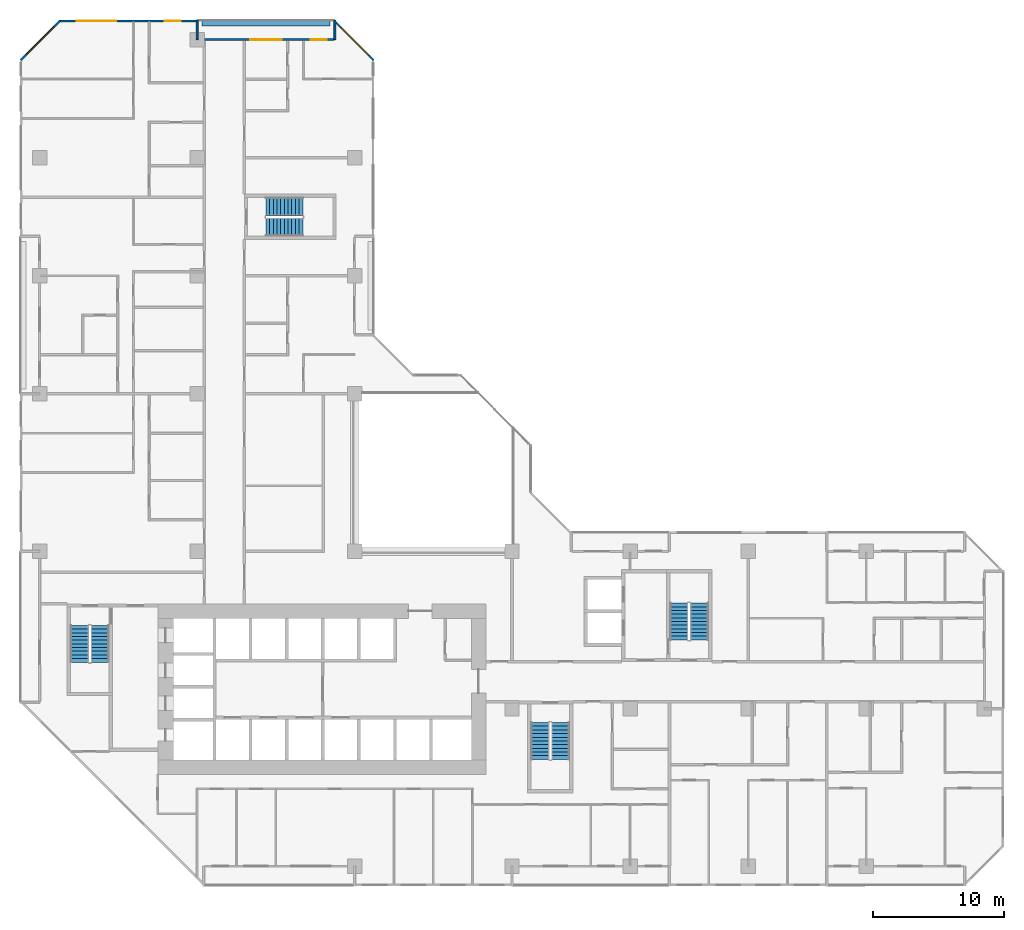
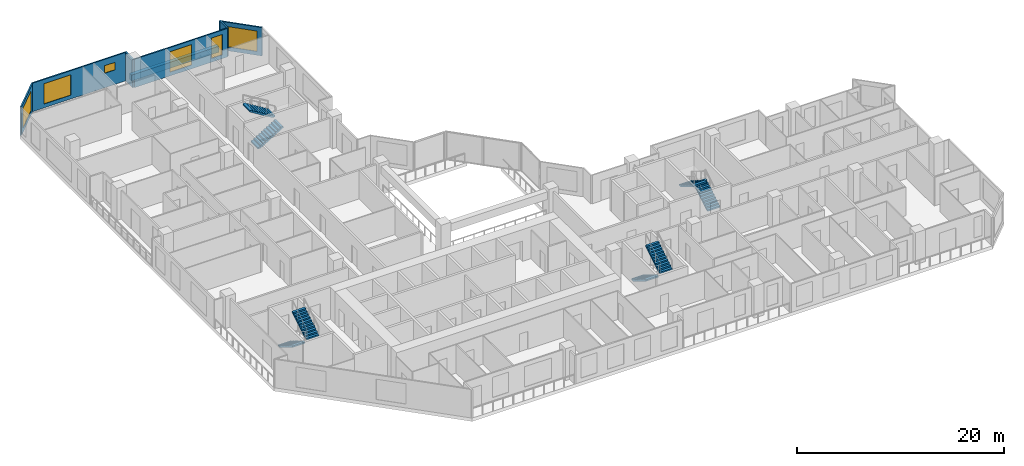
# One storey, part 13 of 15: 8 stair flights, 7 walls, 6 windows, 6 openings, 4 elements without a shape of their own.
"""IFC4 building model written with IfcOpenShell, lengths in metres."""

from ifc_helpers import new_model, si_unit, direction, frame, frame_2d, origin, place, context, subcontext, project, spatial, polyline, rectangle, outline, extrude, material, layer, layer_set, type_object, element, fill, aggregate, save


model = new_model("IFC4")

# Units and contexts
model_context = context("Model", 3, precision=1e-05, world=origin(), true_north=direction((0.0, 1.0)))
body_context = subcontext(model_context, "Body", "Model", "MODEL_VIEW")
ifc_project = project(units=[si_unit("LENGTHUNIT", "METRE"), si_unit("AREAUNIT", "SQUARE_METRE"), si_unit("VOLUMEUNIT", "CUBIC_METRE"), si_unit("PLANEANGLEUNIT", "RADIAN"), si_unit("MASSUNIT", "GRAM", prefix="KILO")], contexts=[model_context])

# Site, building, storey
site_placement = place(None, origin())
site = spatial("IfcSite", under=ifc_project, at=site_placement, CompositionType="ELEMENT")
building_placement = place(site_placement, origin())
building = spatial("IfcBuilding", under=site, at=building_placement, Name="Chenar Terraces", CompositionType="ELEMENT")
storey_placement = place(building_placement, frame((0.0, 0.0, 45.14990234375)))
storey = spatial("IfcBuildingStorey", under=building, at=storey_placement, Name="L08", CompositionType="ELEMENT", Elevation=45.14990234375)

# Wall, openings, windows
ifc_material_1 = material(Name="Aluminium framed glazing", Category="aluminium")
ifc_layer_1 = layer(ifc_material_1, 0.14990234375)
ifc_layer_set_1 = layer_set([ifc_layer_1], Name="Aluminium framed glazing")
wall_type_1 = type_object("IfcWallType", Name="Glazed flush facade wall 150", PredefinedType="SOLIDWALL", material=ifc_layer_set_1)
wall_1_placement = place(storey_placement, frame((11.925048828125, 64.425048828125, 0.0), z_axis=(0.0, 0.0, 1.0), x_axis=(-1.0, 0.0, 0.0)))
wall_1 = element("IfcWall", 1, at=wall_1_placement, inside=storey, type_object=wall_type_1, Name="Glazed flush facade wall", PredefinedType="SOLIDWALL", context=body_context, shape_type="SweptSolid", body=[
    extrude(rectangle(XDim=10.425048828125, YDim=0.14990234375, at=frame_2d((5.21240234375, 0.0))), origin(), (0.0, 0.0, 1.0), 3.35009765625),
])
opening_1_placement = place(wall_1_placement, frame((1.1875, 0.0, 1.699951171875)))
opening_1 = element("IfcOpeningElement", 2, at=opening_1_placement, cuts=wall_1, Name="Opening W120x90", PredefinedType="OPENING", context=body_context, shape_type="SweptSolid", body=[
    extrude(rectangle(XDim=1.199951171875, YDim=0.89990234375, at=frame_2d((0.60009765625, 0.449951171875))), frame((0.0, 0.0849609375, 0.0), z_axis=(0.0, -1.0, 0.0), x_axis=(1.0, 0.0, 0.0)), (0.0, 0.0, 1.0), 0.169921875),
])
opening_2_placement = place(wall_1_placement, frame((6.10009765625, 0.0, 0.449951171875)))
opening_2 = element("IfcOpeningElement", 3, at=opening_2_placement, cuts=wall_1, Name="Opening W300x240", PredefinedType="OPENING", context=body_context, shape_type="SweptSolid", body=[
    extrude(rectangle(XDim=3.0, YDim=2.39990234375, at=frame_2d((1.5, 1.199951171875))), frame((0.0, 0.0849609375, 0.0), z_axis=(0.0, -1.0, 0.0), x_axis=(1.0, 0.0, 0.0)), (0.0, 0.0, 1.0), 0.169921875),
])
ifc_material_2 = material(Name="Low emissivity double glazing, aluminium frame", Category="aluminium")
window_type_1 = type_object("IfcWindowType", Name="Fixed light 1200 x 900", PartitioningType="SINGLE_PANEL", PredefinedType="WINDOW", material=ifc_material_2)
window_1_placement = place(opening_1_placement, origin())
window_1 = element("IfcWindow", 4, at=window_1_placement, inside=storey, type_object=window_type_1, Name="Window", OverallHeight=0.89990234375, OverallWidth=1.199951171875, PartitioningType="SINGLE_PANEL", PredefinedType="WINDOW", context=body_context, shape_type="SweptSolid", body=[
    extrude(rectangle(XDim=1.199951171875, YDim=0.89990234375, at=frame_2d((0.60009765625, 0.449951171875))), frame((0.0, 0.030029296875, 0.0), z_axis=(0.0, -1.0, 0.0), x_axis=(1.0, 0.0, 0.0)), (0.0, 0.0, 1.0), 0.06005859375),
])
fill(opening_1, window_1)
ifc_material_3 = material(Name="Low emissivity double glazing, aluminium frame", Category="aluminium")
window_type_2 = type_object("IfcWindowType", Name="Fixed light 3000 x 2400", PartitioningType="SINGLE_PANEL", PredefinedType="WINDOW", material=ifc_material_3)
window_2_placement = place(opening_2_placement, origin())
window_2 = element("IfcWindow", 5, at=window_2_placement, inside=storey, type_object=window_type_2, Name="Window", OverallHeight=2.39990234375, OverallWidth=3.0, PartitioningType="SINGLE_PANEL", PredefinedType="WINDOW", context=body_context, shape_type="SweptSolid", body=[
    extrude(rectangle(XDim=3.0, YDim=2.39990234375, at=frame_2d((1.5, 1.199951171875))), frame((0.0, 0.030029296875, 0.0), z_axis=(0.0, -1.0, 0.0), x_axis=(1.0, 0.0, 0.0)), (0.0, 0.0, 1.0), 0.06005859375),
])
fill(opening_2, window_2)

ifc_material_4 = material(Name="Aluminium framed glazing", Category="aluminium")
ifc_layer_2 = layer(ifc_material_4, 0.14990234375)
ifc_layer_set_2 = layer_set([ifc_layer_2], Name="Aluminium framed glazing")
wall_type_2 = type_object("IfcWallType", Name="Glazed loggia back wall 150", PredefinedType="SOLIDWALL", material=ifc_layer_set_2)
wall_2_placement = place(storey_placement, frame((22.425048828125, 63.0, 0.0), z_axis=(0.0, 0.0, 1.0), x_axis=(-1.0, 0.0, 0.0)))
wall_2 = element("IfcWall", 6, at=wall_2_placement, inside=storey, type_object=wall_type_2, Name="Glazed loggia back wall", PredefinedType="SOLIDWALL", context=body_context, shape_type="SweptSolid", body=[
    extrude(rectangle(XDim=10.35009765625, YDim=0.14990234375, at=frame_2d((5.175048828125, 0.0))), origin(), (0.0, 0.0, 1.0), 3.35009765625),
])
opening_3_placement = place(wall_2_placement, frame((0.5625, 0.0, 0.449951171875)))
opening_3 = element("IfcOpeningElement", 7, at=opening_3_placement, cuts=wall_2, Name="Opening W120x240", PredefinedType="OPENING", context=body_context, shape_type="SweptSolid", body=[
    extrude(rectangle(XDim=1.199951171875, YDim=2.39990234375, at=frame_2d((0.60009765625, 1.199951171875))), frame((0.0, 0.0849609375, 0.0), z_axis=(0.0, -1.0, 0.0), x_axis=(1.0, 0.0, 0.0)), (0.0, 0.0, 1.0), 0.169921875),
])
opening_4_placement = place(wall_2_placement, frame((3.97509765625, 0.0, 0.449951171875)))
opening_4 = element("IfcOpeningElement", 8, at=opening_4_placement, cuts=wall_2, Name="Opening W240x240", PredefinedType="OPENING", context=body_context, shape_type="SweptSolid", body=[
    extrude(rectangle(XDim=2.39990234375, YDim=2.39990234375, at=frame_2d((1.199951171875, 1.199951171875))), frame((0.0, 0.0849609375, 0.0), z_axis=(0.0, -1.0, 0.0), x_axis=(1.0, 0.0, 0.0)), (0.0, 0.0, 1.0), 0.169921875),
])
ifc_material_5 = material(Name="Low emissivity double glazing, aluminium frame", Category="aluminium")
window_type_3 = type_object("IfcWindowType", Name="Fixed light 1200 x 2400", PartitioningType="SINGLE_PANEL", PredefinedType="WINDOW", material=ifc_material_5)
window_3_placement = place(opening_3_placement, origin())
window_3 = element("IfcWindow", 9, at=window_3_placement, inside=storey, type_object=window_type_3, Name="Window", OverallHeight=2.39990234375, OverallWidth=1.199951171875, PartitioningType="SINGLE_PANEL", PredefinedType="WINDOW", context=body_context, shape_type="SweptSolid", body=[
    extrude(rectangle(XDim=1.199951171875, YDim=2.39990234375, at=frame_2d((0.60009765625, 1.199951171875))), frame((0.0, 0.030029296875, 0.0), z_axis=(0.0, -1.0, 0.0), x_axis=(1.0, 0.0, 0.0)), (0.0, 0.0, 1.0), 0.06005859375),
])
fill(opening_3, window_3)
ifc_material_6 = material(Name="Low emissivity double glazing, aluminium frame", Category="aluminium")
window_type_4 = type_object("IfcWindowType", Name="Fixed light 2400 x 2400", PartitioningType="SINGLE_PANEL", PredefinedType="WINDOW", material=ifc_material_6)
window_4_placement = place(opening_4_placement, origin())
window_4 = element("IfcWindow", 10, at=window_4_placement, inside=storey, type_object=window_type_4, Name="Window", OverallHeight=2.39990234375, OverallWidth=2.39990234375, PartitioningType="SINGLE_PANEL", PredefinedType="WINDOW", context=body_context, shape_type="SweptSolid", body=[
    extrude(rectangle(XDim=2.39990234375, YDim=2.39990234375, at=frame_2d((1.199951171875, 1.199951171875))), frame((0.0, 0.030029296875, 0.0), z_axis=(0.0, -1.0, 0.0), x_axis=(1.0, 0.0, 0.0)), (0.0, 0.0, 1.0), 0.06005859375),
])
fill(opening_4, window_4)

# Walls
ifc_material_7 = material(Name="Terracotta cladding on insulated backing", Category="masonry")
ifc_layer_3 = layer(ifc_material_7, 0.14990234375)
ifc_layer_set_3 = layer_set([ifc_layer_3], Name="Terracotta cladding on insulated backing")
wall_type_3 = type_object("IfcWallType", Name="Loggia return wall 150", PredefinedType="SOLIDWALL", material=ifc_layer_set_3)
for number, where, z_axis, x_axis, name in (
    (11, (22.5, 64.5, 0.0), (0.0, 0.0, 1.0), (0.0, -1.0, 0.0), "Loggia return wall"),
    (12, (12.0, 64.5, 0.0), (0.0, 0.0, 1.0), (0.0, -1.0, 0.0), "Loggia return wall"),
):
    element("IfcWall", number, at=place(storey_placement, frame(where, z_axis=z_axis, x_axis=x_axis)), inside=storey, type_object=wall_type_3, Name=name, PredefinedType="SOLIDWALL", context=body_context, shape_type="SweptSolid", body=[
        extrude(rectangle(XDim=1.5, YDim=0.14990234375, at=frame_2d((0.75, 0.0))), origin(), (0.0, 0.0, 1.0), 3.35009765625),
    ])

# Wall, opening, window
ifc_material_8 = material(Name="Terracotta cladding on insulated backing", Category="masonry")
ifc_layer_4 = layer(ifc_material_8, 0.14990234375)
ifc_layer_set_4 = layer_set([ifc_layer_4], Name="Terracotta cladding on insulated backing")
wall_type_4 = type_object("IfcWallType", Name="Terracotta rainscreen wall 150", PredefinedType="SOLIDWALL", material=ifc_layer_set_4)
wall_3_placement = place(storey_placement, frame((25.447021484375, 61.447021484375, 0.0), z_axis=(0.0, 0.0, 1.0), x_axis=(-0.707106781187, 0.707106781187, 0.0)))
wall_3 = element("IfcWall", 13, at=wall_3_placement, inside=storey, type_object=wall_type_4, Name="Terracotta rainscreen wall", PredefinedType="SOLIDWALL", context=body_context, shape_type="SweptSolid", body=[
    extrude(rectangle(XDim=4.24267578125, YDim=0.14990234375, at=frame_2d((2.121337890625, 0.0))), origin(), (0.0, 0.0, 1.0), 3.35009765625),
])
opening_5_placement = place(wall_3_placement, frame((0.498046875, 0.0, 0.449951171875)))
opening_5 = element("IfcOpeningElement", 14, at=opening_5_placement, cuts=wall_3, Name="Opening W300x240", PredefinedType="OPENING", context=body_context, shape_type="SweptSolid", body=[
    extrude(rectangle(XDim=3.0, YDim=2.39990234375, at=frame_2d((1.5, 1.199951171875))), frame((0.0, 0.0849609375, 0.0), z_axis=(0.0, -1.0, 0.0), x_axis=(1.0, 0.0, 0.0)), (0.0, 0.0, 1.0), 0.169921875),
])
window_5_placement = place(opening_5_placement, origin())
window_5 = element("IfcWindow", 15, at=window_5_placement, inside=storey, type_object=window_type_2, Name="Window", OverallHeight=2.39990234375, OverallWidth=3.0, PartitioningType="SINGLE_PANEL", PredefinedType="WINDOW", context=body_context, shape_type="SweptSolid", body=[
    extrude(rectangle(XDim=3.0, YDim=2.39990234375, at=frame_2d((1.5, 1.199951171875))), frame((0.0, 0.030029296875, 0.0), z_axis=(0.0, -1.0, 0.0), x_axis=(1.0, 0.0, 0.0)), (0.0, 0.0, 1.0), 0.06005859375),
])
fill(opening_5, window_5)

wall_4_placement = place(storey_placement, frame((1.552978515625, 64.447021484375, 0.0), z_axis=(0.0, 0.0, 1.0), x_axis=(-0.707106781187, -0.707106781187, 0.0)))
wall_4 = element("IfcWall", 16, at=wall_4_placement, inside=storey, type_object=wall_type_4, Name="Terracotta rainscreen wall", PredefinedType="SOLIDWALL", context=body_context, shape_type="SweptSolid", body=[
    extrude(rectangle(XDim=4.24267578125, YDim=0.14990234375, at=frame_2d((2.121337890625, 0.0))), origin(), (0.0, 0.0, 1.0), 3.35009765625),
])
opening_6_placement = place(wall_4_placement, frame((0.621337890625, 0.0, 0.449951171875)))
opening_6 = element("IfcOpeningElement", 17, at=opening_6_placement, cuts=wall_4, Name="Opening W300x240", PredefinedType="OPENING", context=body_context, shape_type="SweptSolid", body=[
    extrude(rectangle(XDim=3.0, YDim=2.39990234375, at=frame_2d((1.5, 1.199951171875))), frame((0.0, 0.0849609375, 0.0), z_axis=(0.0, -1.0, 0.0), x_axis=(1.0, 0.0, 0.0)), (0.0, 0.0, 1.0), 0.169921875),
])
window_6_placement = place(opening_6_placement, origin())
window_6 = element("IfcWindow", 18, at=window_6_placement, inside=storey, type_object=window_type_2, Name="Window", OverallHeight=2.39990234375, OverallWidth=3.0, PartitioningType="SINGLE_PANEL", PredefinedType="WINDOW", context=body_context, shape_type="SweptSolid", body=[
    extrude(rectangle(XDim=3.0, YDim=2.39990234375, at=frame_2d((1.5, 1.199951171875))), frame((0.0, 0.030029296875, 0.0), z_axis=(0.0, -1.0, 0.0), x_axis=(1.0, 0.0, 0.0)), (0.0, 0.0, 1.0), 0.06005859375),
])
fill(opening_6, window_6)

# Wall
ifc_material_9 = material(Name="GRP planter trough")
ifc_layer_5 = layer(ifc_material_9, 0.39990234375)
ifc_layer_set_5 = layer_set([ifc_layer_5], Name="GRP planter trough")
wall_type_5 = type_object("IfcWallType", Name="Vertical greenery planter 400", PredefinedType="SOLIDWALL", material=ifc_layer_set_5)
wall_5_placement = place(storey_placement, frame((22.125, 64.22900390625, 0.0), z_axis=(0.0, 0.0, 1.0), x_axis=(-1.0, 0.0, 0.0)))
element("IfcWall", 19, at=wall_5_placement, inside=storey, type_object=wall_type_5, Name="Vertical greenery planter", PredefinedType="SOLIDWALL", context=body_context, shape_type="SweptSolid", body=[
    extrude(rectangle(XDim=9.75, YDim=0.39990234375, at=frame_2d((4.875, 0.0))), origin(), (0.0, 0.0, 1.0), 0.7001953125),
])

# Stair, stair flights
ifc_material_10 = material(Name="Reinforced concrete C40/50", Category="concrete")
stair_type = type_object("IfcStairType", Name="Core stair 1400 half-turn", PredefinedType="HALF_TURN_STAIR", material=ifc_material_10)
placement = place(storey_placement, origin())
stair_1 = element("IfcStair", 20, at=placement, inside=storey, type_object=stair_type, Name="L08 Stair 1", PredefinedType="HALF_TURN_STAIR")
ifc_material_11 = material(Name="Reinforced concrete C40/50", Category="concrete")
stair_flight_type = type_object("IfcStairFlightType", Name="Core stair flight 1400", PredefinedType="STRAIGHT", material=ifc_material_11)
stair_flight_1_placement = place(storey_placement, frame((3.050048828125, 18.35009765625, 0.0), z_axis=(0.0, 0.0, 1.0), x_axis=(0.0, -1.0, 0.0)))
stair_flight_1 = element("IfcStairFlight", 21, at=stair_flight_1_placement, type_object=stair_flight_type, Name="ST1 flight 1", NumberOfRisers=11, NumberOfTreads=10, PredefinedType="STRAIGHT", RiserHeight=0.170454545, TreadLength=0.28, context=body_context, shape_type="SweptSolid", body=[
    extrude(outline(polyline([(-0.0029296875, 0.0), (-0.0029296875, 0.17041015625), (0.0, 0.17041015625), (0.280029296875, 0.17041015625), (0.280029296875, 0.3408203125), (0.56005859375, 0.3408203125), (0.56005859375, 0.511474609375), (0.840087890625, 0.511474609375), (0.840087890625, 0.681884765625), (1.1201171875, 0.681884765625), (1.1201171875, 0.852294921875), (1.39990234375, 0.852294921875), (1.39990234375, 1.022705078125), (1.679931640625, 1.022705078125), (1.679931640625, 1.193115234375), (1.9599609375, 1.193115234375), (1.9599609375, 1.363525390625), (2.239990234375, 1.363525390625), (2.239990234375, 1.5341796875), (2.52001953125, 1.5341796875), (2.52001953125, 1.70458984375), (2.800048828125, 1.70458984375), (2.802978515625, 1.70458984375), (2.802978515625, 1.529052734375), (2.800048828125, 1.529052734375), (0.288330078125, 0.0), (-0.0029296875, 0.0)])), frame((0.0, 0.699951171875, 0.0), z_axis=(0.0, -1.0, 0.0), x_axis=(1.0, 0.0, 0.0)), (0.0, 0.0, 1.0), 1.39990234375),
])
stair_flight_2_placement = place(storey_placement, frame((4.60009765625, 15.550048828125, 1.875), z_axis=(0.0, 0.0, 1.0), x_axis=(0.0, 1.0, 0.0)))
stair_flight_2 = element("IfcStairFlight", 22, at=stair_flight_2_placement, type_object=stair_flight_type, Name="ST1 flight 2", NumberOfRisers=11, NumberOfTreads=10, PredefinedType="STRAIGHT", RiserHeight=0.170454545, TreadLength=0.28, context=body_context, shape_type="SweptSolid", body=[
    extrude(outline(polyline([(-0.0029296875, 0.0), (-0.0029296875, 0.17041015625), (0.0, 0.17041015625), (0.280029296875, 0.17041015625), (0.280029296875, 0.3408203125), (0.56005859375, 0.3408203125), (0.56005859375, 0.511474609375), (0.840087890625, 0.511474609375), (0.840087890625, 0.681884765625), (1.1201171875, 0.681884765625), (1.1201171875, 0.852294921875), (1.39990234375, 0.852294921875), (1.39990234375, 1.022705078125), (1.679931640625, 1.022705078125), (1.679931640625, 1.193115234375), (1.9599609375, 1.193115234375), (1.9599609375, 1.363525390625), (2.239990234375, 1.363525390625), (2.239990234375, 1.5341796875), (2.52001953125, 1.5341796875), (2.52001953125, 1.70458984375), (2.800048828125, 1.70458984375), (2.802978515625, 1.70458984375), (2.802978515625, 1.529052734375), (2.800048828125, 1.529052734375), (0.288330078125, 0.0), (-0.0029296875, 0.0)])), frame((0.0, 0.699951171875, 0.0), z_axis=(0.0, -1.0, 0.0), x_axis=(1.0, 0.0, 0.0)), (0.0, 0.0, 1.0), 1.39990234375),
])
aggregate(stair_1, [stair_flight_1, stair_flight_2])

stair_2 = element("IfcStair", 23, at=placement, inside=storey, type_object=stair_type, Name="L08 Stair 2", PredefinedType="HALF_TURN_STAIR")
stair_flight_3_placement = place(storey_placement, frame((38.14990234375, 10.949951171875, 0.0), z_axis=(0.0, 0.0, 1.0), x_axis=(0.0, -1.0, 0.0)))
stair_flight_3 = element("IfcStairFlight", 24, at=stair_flight_3_placement, type_object=stair_flight_type, Name="ST2 flight 1", NumberOfRisers=11, NumberOfTreads=10, PredefinedType="STRAIGHT", RiserHeight=0.170454545, TreadLength=0.28, context=body_context, shape_type="SweptSolid", body=[
    extrude(outline(polyline([(-0.0029296875, 0.0), (-0.0029296875, 0.17041015625), (0.0, 0.17041015625), (0.280029296875, 0.17041015625), (0.280029296875, 0.3408203125), (0.56005859375, 0.3408203125), (0.56005859375, 0.511474609375), (0.840087890625, 0.511474609375), (0.840087890625, 0.681884765625), (1.1201171875, 0.681884765625), (1.1201171875, 0.852294921875), (1.39990234375, 0.852294921875), (1.39990234375, 1.022705078125), (1.679931640625, 1.022705078125), (1.679931640625, 1.193115234375), (1.9599609375, 1.193115234375), (1.9599609375, 1.363525390625), (2.239990234375, 1.363525390625), (2.239990234375, 1.5341796875), (2.52001953125, 1.5341796875), (2.52001953125, 1.70458984375), (2.800048828125, 1.70458984375), (2.802978515625, 1.70458984375), (2.802978515625, 1.529052734375), (2.800048828125, 1.529052734375), (0.288330078125, 0.0), (-0.0029296875, 0.0)])), frame((0.0, 0.699951171875, 0.0), z_axis=(0.0, -1.0, 0.0), x_axis=(1.0, 0.0, 0.0)), (0.0, 0.0, 1.0), 1.39990234375),
])
stair_flight_4_placement = place(storey_placement, frame((39.699951171875, 8.14990234375, 1.875), z_axis=(0.0, 0.0, 1.0), x_axis=(0.0, 1.0, 0.0)))
stair_flight_4 = element("IfcStairFlight", 25, at=stair_flight_4_placement, type_object=stair_flight_type, Name="ST2 flight 2", NumberOfRisers=11, NumberOfTreads=10, PredefinedType="STRAIGHT", RiserHeight=0.170454545, TreadLength=0.28, context=body_context, shape_type="SweptSolid", body=[
    extrude(outline(polyline([(-0.0029296875, 0.0), (-0.0029296875, 0.17041015625), (0.0, 0.17041015625), (0.280029296875, 0.17041015625), (0.280029296875, 0.3408203125), (0.56005859375, 0.3408203125), (0.56005859375, 0.511474609375), (0.840087890625, 0.511474609375), (0.840087890625, 0.681884765625), (1.1201171875, 0.681884765625), (1.1201171875, 0.852294921875), (1.39990234375, 0.852294921875), (1.39990234375, 1.022705078125), (1.679931640625, 1.022705078125), (1.679931640625, 1.193115234375), (1.9599609375, 1.193115234375), (1.9599609375, 1.363525390625), (2.239990234375, 1.363525390625), (2.239990234375, 1.5341796875), (2.52001953125, 1.5341796875), (2.52001953125, 1.70458984375), (2.800048828125, 1.70458984375), (2.802978515625, 1.70458984375), (2.802978515625, 1.529052734375), (2.800048828125, 1.529052734375), (0.288330078125, 0.0), (-0.0029296875, 0.0)])), frame((0.0, 0.699951171875, 0.0), z_axis=(0.0, -1.0, 0.0), x_axis=(1.0, 0.0, 0.0)), (0.0, 0.0, 1.0), 1.39990234375),
])
aggregate(stair_2, [stair_flight_3, stair_flight_4])

stair_3 = element("IfcStair", 26, at=placement, inside=storey, type_object=stair_type, Name="L08 Stair 3", PredefinedType="HALF_TURN_STAIR")
stair_flight_5_placement = place(storey_placement, frame((50.27490234375, 17.25, 0.0), z_axis=(0.0, 0.0, 1.0), x_axis=(0.0, 1.0, 0.0)))
stair_flight_5 = element("IfcStairFlight", 27, at=stair_flight_5_placement, type_object=stair_flight_type, Name="ST3 flight 1", NumberOfRisers=11, NumberOfTreads=10, PredefinedType="STRAIGHT", RiserHeight=0.170454545, TreadLength=0.28, context=body_context, shape_type="SweptSolid", body=[
    extrude(outline(polyline([(-0.0029296875, 0.0), (-0.0029296875, 0.17041015625), (0.0, 0.17041015625), (0.280029296875, 0.17041015625), (0.280029296875, 0.3408203125), (0.56005859375, 0.3408203125), (0.56005859375, 0.511474609375), (0.840087890625, 0.511474609375), (0.840087890625, 0.681884765625), (1.1201171875, 0.681884765625), (1.1201171875, 0.852294921875), (1.39990234375, 0.852294921875), (1.39990234375, 1.022705078125), (1.679931640625, 1.022705078125), (1.679931640625, 1.193115234375), (1.9599609375, 1.193115234375), (1.9599609375, 1.363525390625), (2.239990234375, 1.363525390625), (2.239990234375, 1.5341796875), (2.52001953125, 1.5341796875), (2.52001953125, 1.70458984375), (2.800048828125, 1.70458984375), (2.802978515625, 1.70458984375), (2.802978515625, 1.529052734375), (2.800048828125, 1.529052734375), (0.288330078125, 0.0), (-0.0029296875, 0.0)])), frame((0.0, 0.699951171875, 0.0), z_axis=(0.0, -1.0, 0.0), x_axis=(1.0, 0.0, 0.0)), (0.0, 0.0, 1.0), 1.39990234375),
])
stair_flight_6_placement = place(storey_placement, frame((48.72509765625, 20.050048828125, 1.875), z_axis=(0.0, 0.0, 1.0), x_axis=(0.0, -1.0, 0.0)))
stair_flight_6 = element("IfcStairFlight", 28, at=stair_flight_6_placement, type_object=stair_flight_type, Name="ST3 flight 2", NumberOfRisers=11, NumberOfTreads=10, PredefinedType="STRAIGHT", RiserHeight=0.170454545, TreadLength=0.28, context=body_context, shape_type="SweptSolid", body=[
    extrude(outline(polyline([(-0.0029296875, 0.0), (-0.0029296875, 0.17041015625), (0.0, 0.17041015625), (0.280029296875, 0.17041015625), (0.280029296875, 0.3408203125), (0.56005859375, 0.3408203125), (0.56005859375, 0.511474609375), (0.840087890625, 0.511474609375), (0.840087890625, 0.681884765625), (1.1201171875, 0.681884765625), (1.1201171875, 0.852294921875), (1.39990234375, 0.852294921875), (1.39990234375, 1.022705078125), (1.679931640625, 1.022705078125), (1.679931640625, 1.193115234375), (1.9599609375, 1.193115234375), (1.9599609375, 1.363525390625), (2.239990234375, 1.363525390625), (2.239990234375, 1.5341796875), (2.52001953125, 1.5341796875), (2.52001953125, 1.70458984375), (2.800048828125, 1.70458984375), (2.802978515625, 1.70458984375), (2.802978515625, 1.529052734375), (2.800048828125, 1.529052734375), (0.288330078125, 0.0), (-0.0029296875, 0.0)])), frame((0.0, 0.699951171875, 0.0), z_axis=(0.0, -1.0, 0.0), x_axis=(1.0, 0.0, 0.0)), (0.0, 0.0, 1.0), 1.39990234375),
])
aggregate(stair_3, [stair_flight_5, stair_flight_6])

stair_4 = element("IfcStair", 29, at=placement, inside=storey, type_object=stair_type, Name="L08 Stair 4", PredefinedType="HALF_TURN_STAIR")
stair_flight_7_placement = place(storey_placement, frame((17.25, 48.72509765625, 0.0), z_axis=(0.0, 0.0, 1.0), x_axis=(1.0, 0.0, 0.0)))
stair_flight_7 = element("IfcStairFlight", 30, at=stair_flight_7_placement, type_object=stair_flight_type, Name="ST4 flight 1", NumberOfRisers=11, NumberOfTreads=10, PredefinedType="STRAIGHT", RiserHeight=0.170454545, TreadLength=0.28, context=body_context, shape_type="SweptSolid", body=[
    extrude(outline(polyline([(-0.0029296875, 0.0), (-0.0029296875, 0.17041015625), (0.0, 0.17041015625), (0.280029296875, 0.17041015625), (0.280029296875, 0.3408203125), (0.56005859375, 0.3408203125), (0.56005859375, 0.511474609375), (0.840087890625, 0.511474609375), (0.840087890625, 0.681884765625), (1.1201171875, 0.681884765625), (1.1201171875, 0.852294921875), (1.39990234375, 0.852294921875), (1.39990234375, 1.022705078125), (1.679931640625, 1.022705078125), (1.679931640625, 1.193115234375), (1.9599609375, 1.193115234375), (1.9599609375, 1.363525390625), (2.239990234375, 1.363525390625), (2.239990234375, 1.5341796875), (2.52001953125, 1.5341796875), (2.52001953125, 1.70458984375), (2.800048828125, 1.70458984375), (2.802978515625, 1.70458984375), (2.802978515625, 1.529052734375), (2.800048828125, 1.529052734375), (0.288330078125, 0.0), (-0.0029296875, 0.0)])), frame((0.0, 0.699951171875, 0.0), z_axis=(0.0, -1.0, 0.0), x_axis=(1.0, 0.0, 0.0)), (0.0, 0.0, 1.0), 1.39990234375),
])
stair_flight_8_placement = place(storey_placement, frame((20.050048828125, 50.27490234375, 1.875), z_axis=(0.0, 0.0, 1.0), x_axis=(-1.0, 0.0, 0.0)))
stair_flight_8 = element("IfcStairFlight", 31, at=stair_flight_8_placement, type_object=stair_flight_type, Name="ST4 flight 2", NumberOfRisers=11, NumberOfTreads=10, PredefinedType="STRAIGHT", RiserHeight=0.170454545, TreadLength=0.28, context=body_context, shape_type="SweptSolid", body=[
    extrude(outline(polyline([(-0.0029296875, 0.0), (-0.0029296875, 0.17041015625), (0.0, 0.17041015625), (0.280029296875, 0.17041015625), (0.280029296875, 0.3408203125), (0.56005859375, 0.3408203125), (0.56005859375, 0.511474609375), (0.840087890625, 0.511474609375), (0.840087890625, 0.681884765625), (1.1201171875, 0.681884765625), (1.1201171875, 0.852294921875), (1.39990234375, 0.852294921875), (1.39990234375, 1.022705078125), (1.679931640625, 1.022705078125), (1.679931640625, 1.193115234375), (1.9599609375, 1.193115234375), (1.9599609375, 1.363525390625), (2.239990234375, 1.363525390625), (2.239990234375, 1.5341796875), (2.52001953125, 1.5341796875), (2.52001953125, 1.70458984375), (2.800048828125, 1.70458984375), (2.802978515625, 1.70458984375), (2.802978515625, 1.529052734375), (2.800048828125, 1.529052734375), (0.288330078125, 0.0), (-0.0029296875, 0.0)])), frame((0.0, 0.699951171875, 0.0), z_axis=(0.0, -1.0, 0.0), x_axis=(1.0, 0.0, 0.0)), (0.0, 0.0, 1.0), 1.39990234375),
])
aggregate(stair_4, [stair_flight_7, stair_flight_8])

save(model, "model.ifc")
